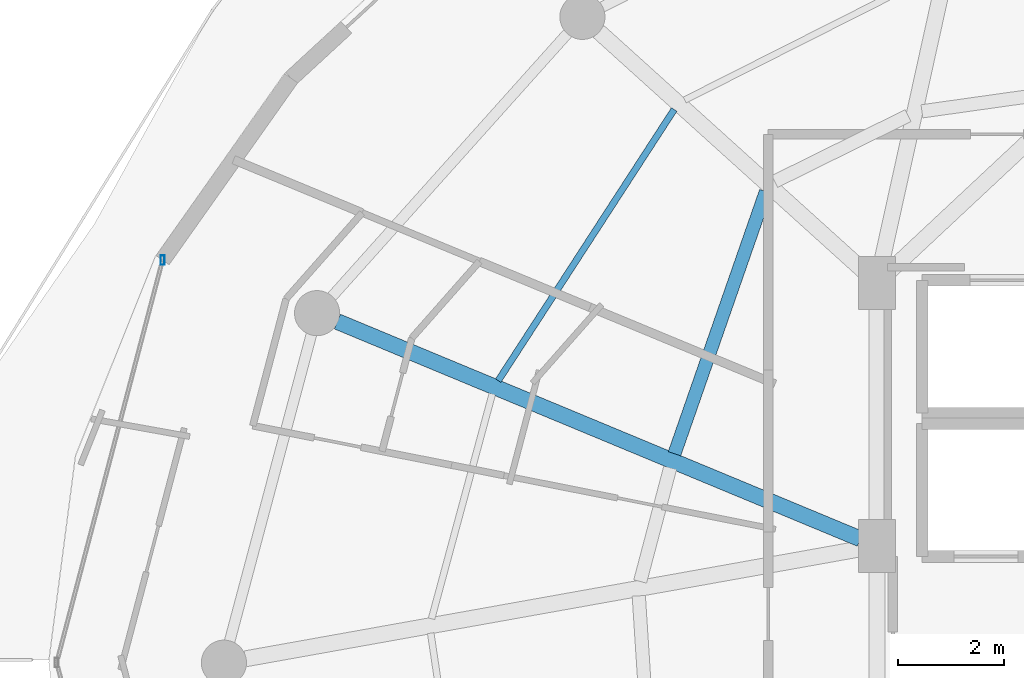
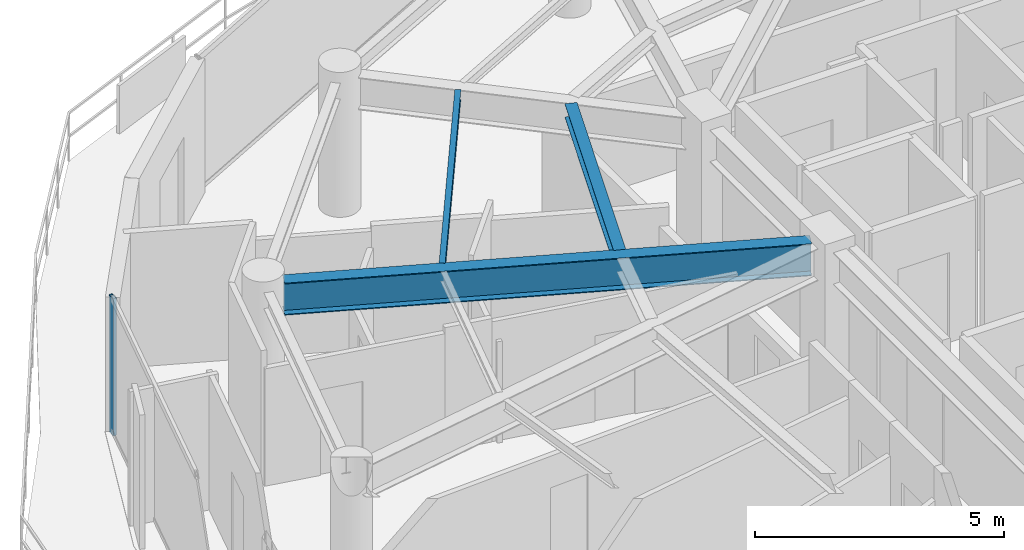
# One storey, part 8 of 29: 3 beams, 1 member, 1 element without a shape of its own.
"""IFC4 building model written with IfcOpenShell, lengths in metres."""

from ifc_helpers import new_model, si_unit, direction, frame, origin, origin_2d, place, context, subcontext, project, spatial, hollow_rectangle, i_section, extrude, material, material_profile, profile_set, type_object, element, aggregate, save


model = new_model("IFC4")

# Units and contexts
model_context = context("Model", 3, precision=1e-05, world=origin(), true_north=direction((0.0, 1.0)))
body_context = subcontext(model_context, "Body", "Model", "MODEL_VIEW")
ifc_project = project(units=[si_unit("LENGTHUNIT", "METRE"), si_unit("AREAUNIT", "SQUARE_METRE"), si_unit("VOLUMEUNIT", "CUBIC_METRE"), si_unit("PLANEANGLEUNIT", "RADIAN"), si_unit("MASSUNIT", "GRAM", prefix="KILO")], contexts=[model_context])

# Site, building, storey
site_placement = place(None, origin())
site = spatial("IfcSite", under=ifc_project, at=site_placement, CompositionType="ELEMENT")
building_placement = place(site_placement, origin())
building = spatial("IfcBuilding", under=site, at=building_placement, Name="Vorneva Point Tower", CompositionType="ELEMENT")
storey_placement = place(building_placement, frame((0.0, 0.0, 255.550048828125)))
storey = spatial("IfcBuildingStorey", under=building, at=storey_placement, Name="L69", CompositionType="ELEMENT", Elevation=255.550048828125)

# Beams
ifc_material_1 = material(Name="Steel S355", Category="steel")
ifc_material_profile_1 = material_profile(ifc_material_1, i_section(OverallWidth=0.300048828125, OverallDepth=0.7880859375, WebThickness=0.014404296875, FlangeThickness=0.02197265625, at=origin_2d()), Name="80Sh1")
ifc_profile_set_1 = profile_set([ifc_material_profile_1], Name="Steel S355")
beam_type_1 = type_object("IfcBeamType", Name="BM-GRD-80Sh1", PredefinedType="USERDEFINED", material=ifc_profile_set_1)
beam_1_placement = place(storey_placement, frame((17.0859375, 32.423583984375, 2.89599609375), z_axis=(0.923448932068, -0.383721344027, 0.0), x_axis=(0.383721344027, 0.923448932068, 0.0)))
element("IfcBeam", 1, at=beam_1_placement, inside=storey, type_object=beam_type_1, Name="L69 Radial Primary Girder 08", ObjectType="GIRDER", PredefinedType="USERDEFINED", context=body_context, shape_type="SweptSolid", body=[
    extrude(i_section(OverallWidth=0.300048828125, OverallDepth=0.7880859375, WebThickness=0.014404296875, FlangeThickness=0.02197265625, at=origin_2d()), origin(), (0.0, 0.0, 1.0), 10.666748046875),
])
ifc_material_profile_2 = material_profile(ifc_material_1, i_section(OverallWidth=0.1240234375, OverallDepth=0.248046875, WebThickness=0.0048828125, FlangeThickness=0.008056640625, at=origin_2d()), Name="25B1")
ifc_profile_set_2 = profile_set([ifc_material_profile_2], Name="Steel S355")
beam_type_2 = type_object("IfcBeamType", Name="BM-JST-25B1", PredefinedType="JOIST", material=ifc_profile_set_2)
beam_2_placement = place(storey_placement, frame((23.4296875, 36.41748046875, 3.166015625), z_axis=(-0.54436505899, -0.838848426446, 0.0), x_axis=(0.838848426446, -0.54436505899, 0.0)))
element("IfcBeam", 2, at=beam_2_placement, inside=storey, type_object=beam_type_2, Name="L69 Secondary Floor Beam 1.07", PredefinedType="JOIST", context=body_context, shape_type="SweptSolid", body=[
    extrude(i_section(OverallWidth=0.1240234375, OverallDepth=0.248046875, WebThickness=0.0048828125, FlangeThickness=0.008056640625, at=origin_2d()), origin(), (0.0, 0.0, 1.0), 6.0869140625),
])
ifc_material_profile_3 = material_profile(ifc_material_1, i_section(OverallWidth=0.2490234375, OverallDepth=0.333984375, WebThickness=0.008056640625, FlangeThickness=0.010986328125, at=origin_2d()), Name="35Sh1")
ifc_profile_set_3 = profile_set([ifc_material_profile_3], Name="Steel S355")
beam_type_3 = type_object("IfcBeamType", Name="BM-SEC-35Sh1", PredefinedType="BEAM", material=ifc_profile_set_3)
beam_3_placement = place(storey_placement, frame((25.156005859375, 34.870361328125, 3.123046875), z_axis=(-0.329172675653, -0.94426974409, 0.0), x_axis=(0.94426974409, -0.329172675653, 0.0)))
element("IfcBeam", 3, at=beam_3_placement, inside=storey, type_object=beam_type_3, Name="L69 Secondary Floor Beam 2.07", PredefinedType="BEAM", context=body_context, shape_type="SweptSolid", body=[
    extrude(i_section(OverallWidth=0.2490234375, OverallDepth=0.333984375, WebThickness=0.008056640625, FlangeThickness=0.010986328125, at=origin_2d()), origin(), (0.0, 0.0, 1.0), 5.227294921875),
])

# Curtain wall, member
ifc_material_2 = material(Name="Pale anodised aluminium", Category="aluminium")
curtain_wall_type = type_object("IfcCurtainWallType", Name="CW-RES-SYS", PredefinedType="NOTDEFINED", material=ifc_material_2)
curtain_wall_placement = place(storey_placement, origin())
curtain_wall = element("IfcCurtainWall", 4, at=curtain_wall_placement, inside=storey, type_object=curtain_wall_type, Name="L69 Unitised Curtain Wall CW-L69-R03", PredefinedType="NOTDEFINED")
ifc_material_profile_4 = material_profile(ifc_material_2, hollow_rectangle(XDim=0.074951171875, YDim=0.179931640625, WallThickness=0.00390625, at=origin_2d()), Name="AL-MUL 180x75x4")
ifc_profile_set_4 = profile_set([ifc_material_profile_4], Name="Pale anodised aluminium")
member_type = type_object("IfcMemberType", Name="CW-MUL-180", PredefinedType="MULLION", material=ifc_profile_set_4)
member_placement = place(storey_placement, frame((13.79443359375, 33.5810546875, -0.0400390625), z_axis=(0.0, 0.0, 1.0), x_axis=(1.0, 0.0, 0.0)))
member = element("IfcMember", 5, at=member_placement, type_object=member_type, Name="CW-L69-R03 Mullion 01", PredefinedType="MULLION", context=body_context, shape_type="SweptSolid", body=[
    extrude(hollow_rectangle(XDim=0.074951171875, YDim=0.179931640625, WallThickness=0.00390625, at=origin_2d()), origin(), (0.0, 0.0, 1.0), 3.360107421875),
])
aggregate(curtain_wall, [member])

save(model, "model.ifc")
